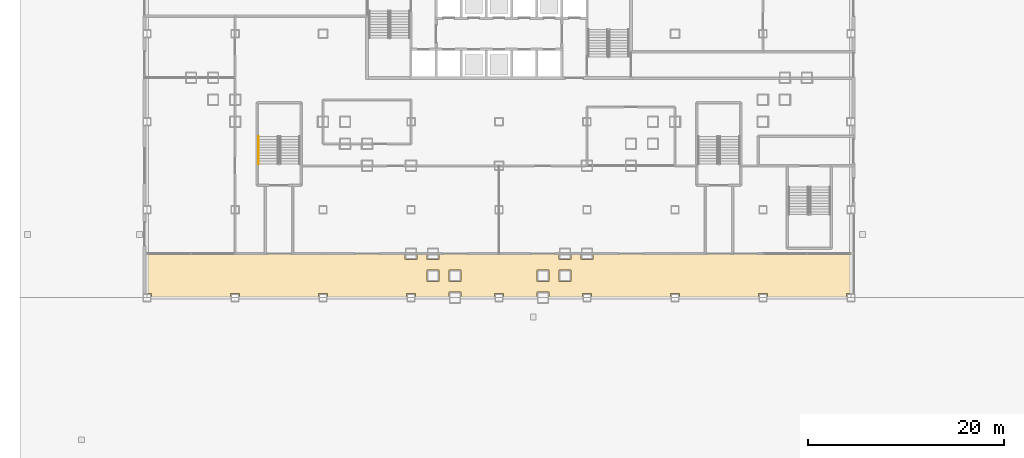
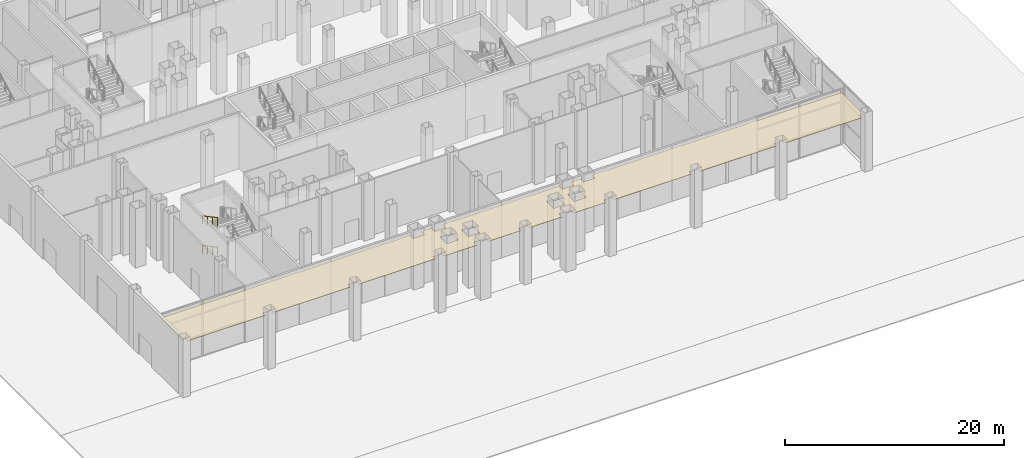
# One storey, part 30 of 38: 2 railings, 1 covering.
"""IFC4 building model written with IfcOpenShell, lengths in metres."""

from ifc_helpers import new_model, si_unit, direction, frame, origin, origin_2d, place, context, subcontext, project, spatial, polyline, circle, outline, extrude, material, layer, layer_set, type_object, element, save


model = new_model("IFC4")

# Units and contexts
model_context = context("Model", 3, precision=1e-05, world=origin(), true_north=direction((0.0, 1.0)))
body_context = subcontext(model_context, "Body", "Model", "MODEL_VIEW")
ifc_project = project(units=[si_unit("LENGTHUNIT", "METRE"), si_unit("AREAUNIT", "SQUARE_METRE"), si_unit("VOLUMEUNIT", "CUBIC_METRE"), si_unit("PLANEANGLEUNIT", "RADIAN"), si_unit("MASSUNIT", "GRAM", prefix="KILO")], contexts=[model_context])

# Site, building, storey
site_placement = place(None, origin())
site = spatial("IfcSite", under=ifc_project, at=site_placement, CompositionType="ELEMENT")
building_placement = place(site_placement, origin())
building = spatial("IfcBuilding", under=site, at=building_placement, Name="Caravel Reach Hotel and Residences", CompositionType="ELEMENT")
storey_placement = place(building_placement, origin())
storey = spatial("IfcBuildingStorey", under=building, at=storey_placement, Name="L00", CompositionType="ELEMENT", Elevation=0.0)

# Covering
ifc_material_1 = material(Name="Mineral fibre ceiling tile")
ifc_layer = layer(ifc_material_1, 0.050048828125)
ifc_layer_set = layer_set([ifc_layer], Name="CL1 Suspended ceiling 50")
covering_type = type_object("IfcCoveringType", Name="CL1 Suspended ceiling 50", PredefinedType="CEILING", material=ifc_layer_set)
covering_placement = place(storey_placement, frame((0.0, 0.0, 5.800048828125)))
element("IfcCovering", 1, at=covering_placement, inside=storey, type_object=covering_type, Name="L00 ceiling Waterfront arcade", PredefinedType="CEILING", context=body_context, shape_type="SweptSolid", body=[
    extrude(outline(polyline([(58.050048828125, 0.050048828125), (58.050048828125, 0.449951171875), (58.949951171875, 0.449951171875), (58.949951171875, 0.050048828125), (67.050048828125, 0.050048828125), (67.050048828125, 0.449951171875), (67.449951171875, 0.449951171875), (67.449951171875, 4.449951171875), (41.10009765625, 4.449951171875), (41.10009765625, 3.89990234375), (39.89990234375, 3.89990234375), (39.89990234375, 4.449951171875), (38.85009765625, 4.449951171875), (38.85009765625, 3.89990234375), (37.64990234375, 3.89990234375), (37.64990234375, 4.449951171875), (25.35009765625, 4.449951171875), (25.35009765625, 3.89990234375), (24.14990234375, 3.89990234375), (24.14990234375, 4.449951171875), (23.10009765625, 4.449951171875), (23.10009765625, 3.89990234375), (21.89990234375, 3.89990234375), (21.89990234375, 4.449951171875), (-4.449951171875, 4.449951171875), (-4.449951171875, 0.449951171875), (-4.050048828125, 0.449951171875), (-4.050048828125, 0.050048828125), (4.050048828125, 0.050048828125), (4.050048828125, 0.449951171875), (4.949951171875, 0.449951171875), (4.949951171875, 0.050048828125), (13.050048828125, 0.050048828125), (13.050048828125, 0.449951171875), (13.949951171875, 0.449951171875), (13.949951171875, 0.050048828125), (22.050048828125, 0.050048828125), (22.050048828125, 0.449951171875), (22.949951171875, 0.449951171875), (22.949951171875, 0.050048828125), (26.39990234375, 0.050048828125), (26.39990234375, 0.60009765625), (27.60009765625, 0.60009765625), (27.60009765625, 0.050048828125), (31.050048828125, 0.050048828125), (31.050048828125, 0.449951171875), (31.949951171875, 0.449951171875), (31.949951171875, 0.050048828125), (35.39990234375, 0.050048828125), (35.39990234375, 0.60009765625), (36.60009765625, 0.60009765625), (36.60009765625, 0.050048828125), (40.050048828125, 0.050048828125), (40.050048828125, 0.449951171875), (40.949951171875, 0.449951171875), (40.949951171875, 0.050048828125), (49.050048828125, 0.050048828125), (49.050048828125, 0.449951171875), (49.949951171875, 0.449951171875), (49.949951171875, 0.050048828125), (58.050048828125, 0.050048828125)]), holes=[polyline([(25.35009765625, 1.64990234375), (24.14990234375, 1.64990234375), (24.14990234375, 2.85009765625), (25.35009765625, 2.85009765625), (25.35009765625, 1.64990234375)]), polyline([(26.39990234375, 1.64990234375), (26.39990234375, 2.85009765625), (27.60009765625, 2.85009765625), (27.60009765625, 1.64990234375), (26.39990234375, 1.64990234375)]), polyline([(36.60009765625, 1.64990234375), (35.39990234375, 1.64990234375), (35.39990234375, 2.85009765625), (36.60009765625, 2.85009765625), (36.60009765625, 1.64990234375)]), polyline([(37.64990234375, 1.64990234375), (37.64990234375, 2.85009765625), (38.85009765625, 2.85009765625), (38.85009765625, 1.64990234375), (37.64990234375, 1.64990234375)])]), origin(), (0.0, 0.0, 1.0), 0.050048828125),
])

# Railings
ifc_material_2 = material(Name="Stainless steel handrail", Category="steel")
railing_type = type_object("IfcRailingType", Name="Handrail 900", PredefinedType="HANDRAIL", material=ifc_material_2)
for number, where, name in (
    (2, (6.905029296875, 16.489990234375, 1.800048828125), "L00 ST-P3 stair handrail 2"),
    (3, (6.905029296875, 16.489990234375, 5.10009765625), "L00 ST-P3 stair handrail 4"),
):
    element("IfcRailing", number, at=place(storey_placement, frame(where)), inside=storey, type_object=railing_type, Name=name, PredefinedType="HANDRAIL", context=body_context, shape_type="SweptSolid", body=[
        extrude(circle(Radius=0.02392578125, at=origin_2d()), frame((0.0, 0.0, 0.8759765625), z_axis=(0.0, -0.881483397762, 0.472215014025), x_axis=(1.0, 0.0, 0.0)), (0.0, 0.0, 1.0), 3.176513671875),
        extrude(circle(Radius=0.02099609375, at=origin_2d()), origin(), (0.0, 0.0, 1.0), 0.851806640625),
        extrude(circle(Radius=0.02099609375, at=origin_2d()), frame((0.0, -0.933349609375, 0.5)), (0.0, 0.0, 1.0), 0.851806640625),
        extrude(circle(Radius=0.02099609375, at=origin_2d()), frame((0.0, -1.86669921875, 1.0)), (0.0, 0.0, 1.0), 0.851806640625),
        extrude(circle(Radius=0.02099609375, at=origin_2d()), frame((0.0, -2.800048828125, 1.5)), (0.0, 0.0, 1.0), 0.851806640625),
    ])

save(model, "model.ifc")
